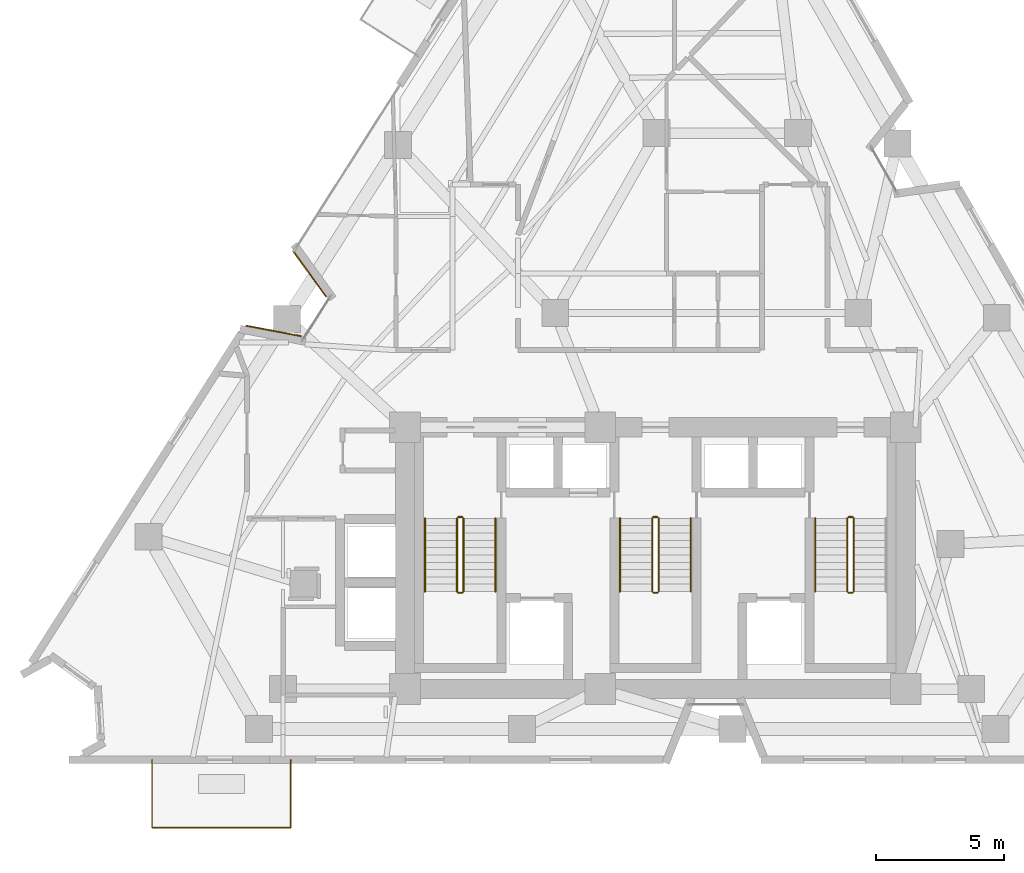
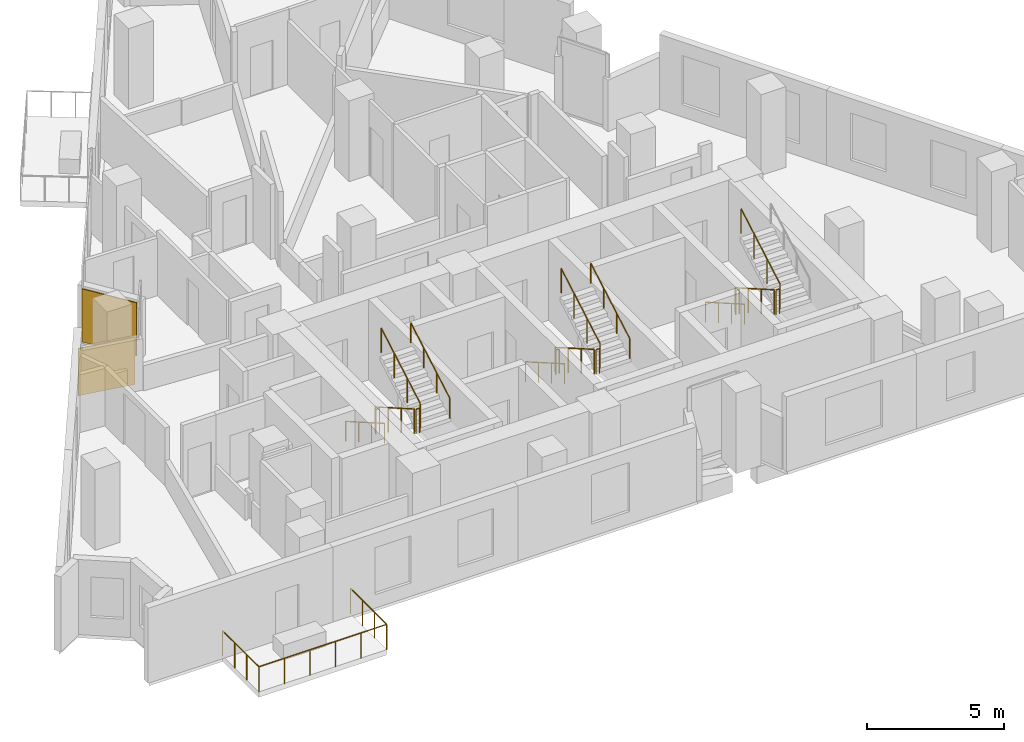
# One storey, part 10 of 11: 18 railings, 2 coverings.
"""IFC4 building model written with IfcOpenShell, lengths in metres."""

from ifc_helpers import new_model, si_unit, direction, frame, origin, origin_2d, place, context, subcontext, project, spatial, rectangle, circle, extrude, material, layer, layer_set, type_object, element, save


model = new_model("IFC4")

# Units and contexts
model_context = context("Model", 3, precision=1e-05, world=origin(), true_north=direction((0.0, 1.0)))
body_context = subcontext(model_context, "Body", "Model", "MODEL_VIEW")
ifc_project = project(units=[si_unit("LENGTHUNIT", "METRE"), si_unit("AREAUNIT", "SQUARE_METRE"), si_unit("VOLUMEUNIT", "CUBIC_METRE"), si_unit("PLANEANGLEUNIT", "RADIAN"), si_unit("MASSUNIT", "GRAM", prefix="KILO")], contexts=[model_context])

# Site, building, storey
site_placement = place(None, origin())
site = spatial("IfcSite", under=ifc_project, at=site_placement, CompositionType="ELEMENT")
building_placement = place(site_placement, origin())
building = spatial("IfcBuilding", under=site, at=building_placement, Name="Almagre Mirador Tower", CompositionType="ELEMENT")
storey_placement = place(building_placement, frame((0.0, 0.0, 150.0)))
storey = spatial("IfcBuildingStorey", under=building, at=storey_placement, Name="L38", CompositionType="ELEMENT", Elevation=150.0)

# Coverings
ifc_material_1 = material(Name="Almagre terracotta architectural cladding", Category="masonry")
ifc_layer = layer(ifc_material_1, 0.044921875)
ifc_layer_set = layer_set([ifc_layer], Name="Almagre terracotta architectural cladding")
covering_type = type_object("IfcCoveringType", Name="COV-CLAD-ALMAGRE", PredefinedType="CLADDING", material=ifc_layer_set)
covering_1_placement = place(storey_placement, frame((22.431884765625, 18.498046875, 0.099853515625), z_axis=(0.0, 0.0, 1.0), x_axis=(0.982333007297, -0.18714129094, 0.0)))
element("IfcCovering", 1, at=covering_1_placement, inside=storey, type_object=covering_type, Name="L38 almagre terracotta pier cladding", PredefinedType="CLADDING", context=body_context, shape_type="SweptSolid", body=[
    extrude(rectangle(XDim=2.194091796875, YDim=0.044921875, at=origin_2d()), origin(), (0.0, 0.0, 1.0), 2.10009765625),
])
covering_2_placement = place(storey_placement, frame((23.841796875, 20.7109375, 0.10009765625), z_axis=(0.0, 0.0, 1.0), x_axis=(-0.585537910268, 0.810645024434, 0.0)))
element("IfcCovering", 2, at=covering_2_placement, inside=storey, type_object=covering_type, Name="L38 almagre terracotta pier cladding", PredefinedType="CLADDING", context=body_context, shape_type="SweptSolid", body=[
    extrude(rectangle(XDim=2.194091796875, YDim=0.044921875, at=origin_2d()), origin(), (0.0, 0.0, 1.0), 2.375),
])

# Railings
ifc_material_2 = material(Name="Black anodized aluminium", Category="aluminium")
railing_type_1 = type_object("IfcRailingType", Name="RLG-BAL-1150", PredefinedType="BALUSTRADE", material=ifc_material_2)
railing_1_placement = place(storey_placement, frame((17.699951171875, 1.800048828125, 0.0)))
element("IfcRailing", 3, at=railing_1_placement, inside=storey, type_object=railing_type_1, Name="L38 south balcony balustrade 1", PredefinedType="BALUSTRADE", context=body_context, shape_type="SweptSolid", body=[
    extrude(circle(Radius=0.02392578125, at=origin_2d()), frame((0.0, 0.0, 1.1259765625), z_axis=(0.0, -1.0, 0.0), x_axis=(1.0, 0.0, 0.0)), (0.0, 0.0, 1.0), 2.650146484375),
    extrude(circle(Radius=0.02392578125, at=origin_2d()), frame((0.0, -2.650146484375, 1.1259765625), z_axis=(1.0, 0.0, 0.0), x_axis=(0.0, 1.0, 0.0)), (0.0, 0.0, 1.0), 5.400146484375),
    extrude(circle(Radius=0.02392578125, at=origin_2d()), frame((5.400146484375, -2.650146484375, 1.1259765625), z_axis=(0.0, 1.0, 0.0), x_axis=(-1.0, 0.0, 0.0)), (0.0, 0.0, 1.0), 2.650146484375),
    extrude(circle(Radius=0.02099609375, at=origin_2d()), origin(), (0.0, 0.0, 1.0), 1.101806640625),
    extrude(circle(Radius=0.02099609375, at=origin_2d()), frame((0.0, -0.88330078125, 0.0)), (0.0, 0.0, 1.0), 1.101806640625),
    extrude(circle(Radius=0.02099609375, at=origin_2d()), frame((0.0, -1.766845703125, 0.0)), (0.0, 0.0, 1.0), 1.101806640625),
    extrude(circle(Radius=0.02099609375, at=origin_2d()), frame((0.0, -2.650146484375, 0.0)), (0.0, 0.0, 1.0), 1.101806640625),
    extrude(circle(Radius=0.02099609375, at=origin_2d()), frame((1.080078125, -2.650146484375, 0.0)), (0.0, 0.0, 1.0), 1.101806640625),
    extrude(circle(Radius=0.02099609375, at=origin_2d()), frame((2.16015625, -2.650146484375, 0.0)), (0.0, 0.0, 1.0), 1.101806640625),
    extrude(circle(Radius=0.02099609375, at=origin_2d()), frame((3.239990234375, -2.650146484375, 0.0)), (0.0, 0.0, 1.0), 1.101806640625),
    extrude(circle(Radius=0.02099609375, at=origin_2d()), frame((4.320068359375, -2.650146484375, 0.0)), (0.0, 0.0, 1.0), 1.101806640625),
    extrude(circle(Radius=0.02099609375, at=origin_2d()), frame((5.400146484375, -2.650146484375, 0.0)), (0.0, 0.0, 1.0), 1.101806640625),
    extrude(circle(Radius=0.02099609375, at=origin_2d()), frame((5.400146484375, -1.766845703125, 0.0)), (0.0, 0.0, 1.0), 1.101806640625),
    extrude(circle(Radius=0.02099609375, at=origin_2d()), frame((5.400146484375, -0.88330078125, 0.0)), (0.0, 0.0, 1.0), 1.101806640625),
    extrude(circle(Radius=0.02099609375, at=origin_2d()), frame((5.400146484375, 0.0, 0.0)), (0.0, 0.0, 1.0), 1.101806640625),
])
ifc_material_3 = material(Name="Painted galvanized steel", Category="steel")
railing_type_2 = type_object("IfcRailingType", Name="RLG-GRD-1100", PredefinedType="GUARDRAIL", material=ifc_material_3)
railing_2_placement = place(storey_placement, frame((29.574951171875, 11.199951171875, 0.16357421875)))
element("IfcRailing", 4, at=railing_2_placement, inside=storey, type_object=railing_type_2, Name="L38 ST-1 stair guard 1", PredefinedType="GUARDRAIL", context=body_context, shape_type="SweptSolid", body=[
    extrude(circle(Radius=0.02392578125, at=origin_2d()), frame((0.0, 0.0, 1.09619140625), z_axis=(0.0, -0.867194282975, 0.497969954491), x_axis=(1.0, 0.0, 0.0)), (0.0, 0.0, 1.0), 3.286376953125),
    extrude(circle(Radius=0.02099609375, at=origin_2d()), origin(), (0.0, 0.0, 1.0), 1.072021484375),
    extrude(circle(Radius=0.02099609375, at=origin_2d()), frame((0.0, -0.949951171875, 0.54541015625)), (0.0, 0.0, 1.0), 1.072021484375),
    extrude(circle(Radius=0.02099609375, at=origin_2d()), frame((0.0, -1.89990234375, 1.091064453125)), (0.0, 0.0, 1.0), 1.072021484375),
    extrude(circle(Radius=0.02099609375, at=origin_2d()), frame((0.0, -2.849853515625, 1.636474609375)), (0.0, 0.0, 1.0), 1.072021484375),
])
railing_3_placement = place(storey_placement, frame((29.625, 8.300048828125, 1.800048828125)))
element("IfcRailing", 5, at=railing_3_placement, inside=storey, type_object=railing_type_2, Name="L38 ST-1 stair guard 2", PredefinedType="GUARDRAIL", context=body_context, shape_type="SweptSolid", body=[
    extrude(circle(Radius=0.02392578125, at=origin_2d()), frame((0.0, 0.0, 1.09619140625), z_axis=(1.0, 0.0, 0.0), x_axis=(0.0, 1.0, 0.0)), (0.0, 0.0, 1.0), 0.14990234375),
    extrude(circle(Radius=0.02099609375, at=origin_2d()), origin(), (0.0, 0.0, 1.0), 1.072021484375),
    extrude(circle(Radius=0.02099609375, at=origin_2d()), frame((0.14990234375, 0.0, 0.0)), (0.0, 0.0, 1.0), 1.072021484375),
])
railing_4_placement = place(storey_placement, frame((29.824951171875, 8.35009765625, 1.963623046875)))
element("IfcRailing", 6, at=railing_4_placement, inside=storey, type_object=railing_type_2, Name="L38 ST-1 stair guard 3", PredefinedType="GUARDRAIL", context=body_context, shape_type="SweptSolid", body=[
    extrude(circle(Radius=0.02392578125, at=origin_2d()), frame((0.0, 0.0, 1.09619140625), z_axis=(0.0, 0.867194282975, 0.497969954491), x_axis=(-1.0, 0.0, 0.0)), (0.0, 0.0, 1.0), 3.286376953125),
    extrude(circle(Radius=0.02099609375, at=origin_2d()), origin(), (0.0, 0.0, 1.0), 1.072021484375),
    extrude(circle(Radius=0.02099609375, at=origin_2d()), frame((0.0, 0.949951171875, 0.54541015625)), (0.0, 0.0, 1.0), 1.072021484375),
    extrude(circle(Radius=0.02099609375, at=origin_2d()), frame((0.0, 1.89990234375, 1.091064453125)), (0.0, 0.0, 1.0), 1.072021484375),
    extrude(circle(Radius=0.02099609375, at=origin_2d()), frame((0.0, 2.849853515625, 1.636474609375)), (0.0, 0.0, 1.0), 1.072021484375),
])
railing_5_placement = place(storey_placement, frame((29.625, 11.25, 0.0)))
element("IfcRailing", 7, at=railing_5_placement, inside=storey, type_object=railing_type_2, Name="L38 ST-1 stair guard 4", PredefinedType="GUARDRAIL", context=body_context, shape_type="SweptSolid", body=[
    extrude(circle(Radius=0.02392578125, at=origin_2d()), frame((0.0, 0.0, 1.09619140625), z_axis=(1.0, 0.0, 0.0), x_axis=(0.0, 1.0, 0.0)), (0.0, 0.0, 1.0), 0.14990234375),
    extrude(circle(Radius=0.02099609375, at=origin_2d()), origin(), (0.0, 0.0, 1.0), 1.072021484375),
    extrude(circle(Radius=0.02099609375, at=origin_2d()), frame((0.14990234375, 0.0, 0.0)), (0.0, 0.0, 1.0), 1.072021484375),
])
railing_6_placement = place(storey_placement, frame((37.175048828125, 11.199951171875, 0.16357421875)))
element("IfcRailing", 8, at=railing_6_placement, inside=storey, type_object=railing_type_2, Name="L38 ST-2 stair guard 1", PredefinedType="GUARDRAIL", context=body_context, shape_type="SweptSolid", body=[
    extrude(circle(Radius=0.02392578125, at=origin_2d()), frame((0.0, 0.0, 1.09619140625), z_axis=(0.0, -0.867194282975, 0.497969954491), x_axis=(1.0, 0.0, 0.0)), (0.0, 0.0, 1.0), 3.286376953125),
    extrude(circle(Radius=0.02099609375, at=origin_2d()), origin(), (0.0, 0.0, 1.0), 1.072021484375),
    extrude(circle(Radius=0.02099609375, at=origin_2d()), frame((0.0, -0.949951171875, 0.54541015625)), (0.0, 0.0, 1.0), 1.072021484375),
    extrude(circle(Radius=0.02099609375, at=origin_2d()), frame((0.0, -1.89990234375, 1.091064453125)), (0.0, 0.0, 1.0), 1.072021484375),
    extrude(circle(Radius=0.02099609375, at=origin_2d()), frame((0.0, -2.849853515625, 1.636474609375)), (0.0, 0.0, 1.0), 1.072021484375),
])
railing_7_placement = place(storey_placement, frame((37.22509765625, 8.300048828125, 1.800048828125)))
element("IfcRailing", 9, at=railing_7_placement, inside=storey, type_object=railing_type_2, Name="L38 ST-2 stair guard 2", PredefinedType="GUARDRAIL", context=body_context, shape_type="SweptSolid", body=[
    extrude(circle(Radius=0.02392578125, at=origin_2d()), frame((0.0, 0.0, 1.09619140625), z_axis=(1.0, 0.0, 0.0), x_axis=(0.0, 1.0, 0.0)), (0.0, 0.0, 1.0), 0.14990234375),
    extrude(circle(Radius=0.02099609375, at=origin_2d()), origin(), (0.0, 0.0, 1.0), 1.072021484375),
    extrude(circle(Radius=0.02099609375, at=origin_2d()), frame((0.14990234375, 0.0, 0.0)), (0.0, 0.0, 1.0), 1.072021484375),
])
railing_8_placement = place(storey_placement, frame((37.425048828125, 8.35009765625, 1.963623046875)))
element("IfcRailing", 10, at=railing_8_placement, inside=storey, type_object=railing_type_2, Name="L38 ST-2 stair guard 3", PredefinedType="GUARDRAIL", context=body_context, shape_type="SweptSolid", body=[
    extrude(circle(Radius=0.02392578125, at=origin_2d()), frame((0.0, 0.0, 1.09619140625), z_axis=(0.0, 0.867194282975, 0.497969954491), x_axis=(-1.0, 0.0, 0.0)), (0.0, 0.0, 1.0), 3.286376953125),
    extrude(circle(Radius=0.02099609375, at=origin_2d()), origin(), (0.0, 0.0, 1.0), 1.072021484375),
    extrude(circle(Radius=0.02099609375, at=origin_2d()), frame((0.0, 0.949951171875, 0.54541015625)), (0.0, 0.0, 1.0), 1.072021484375),
    extrude(circle(Radius=0.02099609375, at=origin_2d()), frame((0.0, 1.89990234375, 1.091064453125)), (0.0, 0.0, 1.0), 1.072021484375),
    extrude(circle(Radius=0.02099609375, at=origin_2d()), frame((0.0, 2.849853515625, 1.636474609375)), (0.0, 0.0, 1.0), 1.072021484375),
])
railing_9_placement = place(storey_placement, frame((37.22509765625, 11.25, 0.0)))
element("IfcRailing", 11, at=railing_9_placement, inside=storey, type_object=railing_type_2, Name="L38 ST-2 stair guard 4", PredefinedType="GUARDRAIL", context=body_context, shape_type="SweptSolid", body=[
    extrude(circle(Radius=0.02392578125, at=origin_2d()), frame((0.0, 0.0, 1.09619140625), z_axis=(1.0, 0.0, 0.0), x_axis=(0.0, 1.0, 0.0)), (0.0, 0.0, 1.0), 0.14990234375),
    extrude(circle(Radius=0.02099609375, at=origin_2d()), origin(), (0.0, 0.0, 1.0), 1.072021484375),
    extrude(circle(Radius=0.02099609375, at=origin_2d()), frame((0.14990234375, 0.0, 0.0)), (0.0, 0.0, 1.0), 1.072021484375),
])
railing_10_placement = place(storey_placement, frame((44.77490234375, 11.199951171875, 0.16357421875)))
element("IfcRailing", 12, at=railing_10_placement, inside=storey, type_object=railing_type_2, Name="L38 ST-3 stair guard 1", PredefinedType="GUARDRAIL", context=body_context, shape_type="SweptSolid", body=[
    extrude(circle(Radius=0.02392578125, at=origin_2d()), frame((0.0, 0.0, 1.09619140625), z_axis=(0.0, -0.867194282975, 0.497969954491), x_axis=(1.0, 0.0, 0.0)), (0.0, 0.0, 1.0), 3.286376953125),
    extrude(circle(Radius=0.02099609375, at=origin_2d()), origin(), (0.0, 0.0, 1.0), 1.072021484375),
    extrude(circle(Radius=0.02099609375, at=origin_2d()), frame((0.0, -0.949951171875, 0.54541015625)), (0.0, 0.0, 1.0), 1.072021484375),
    extrude(circle(Radius=0.02099609375, at=origin_2d()), frame((0.0, -1.89990234375, 1.091064453125)), (0.0, 0.0, 1.0), 1.072021484375),
    extrude(circle(Radius=0.02099609375, at=origin_2d()), frame((0.0, -2.849853515625, 1.636474609375)), (0.0, 0.0, 1.0), 1.072021484375),
])
railing_11_placement = place(storey_placement, frame((44.824951171875, 8.300048828125, 1.800048828125)))
element("IfcRailing", 13, at=railing_11_placement, inside=storey, type_object=railing_type_2, Name="L38 ST-3 stair guard 2", PredefinedType="GUARDRAIL", context=body_context, shape_type="SweptSolid", body=[
    extrude(circle(Radius=0.02392578125, at=origin_2d()), frame((0.0, 0.0, 1.09619140625), z_axis=(1.0, 0.0, 0.0), x_axis=(0.0, 1.0, 0.0)), (0.0, 0.0, 1.0), 0.150146484375),
    extrude(circle(Radius=0.02099609375, at=origin_2d()), origin(), (0.0, 0.0, 1.0), 1.072021484375),
    extrude(circle(Radius=0.02099609375, at=origin_2d()), frame((0.150146484375, 0.0, 0.0)), (0.0, 0.0, 1.0), 1.072021484375),
])
railing_12_placement = place(storey_placement, frame((45.02490234375, 8.35009765625, 1.963623046875)))
element("IfcRailing", 14, at=railing_12_placement, inside=storey, type_object=railing_type_2, Name="L38 ST-3 stair guard 3", PredefinedType="GUARDRAIL", context=body_context, shape_type="SweptSolid", body=[
    extrude(circle(Radius=0.02392578125, at=origin_2d()), frame((0.0, 0.0, 1.09619140625), z_axis=(0.0, 0.867194282975, 0.497969954491), x_axis=(-1.0, 0.0, 0.0)), (0.0, 0.0, 1.0), 3.286376953125),
    extrude(circle(Radius=0.02099609375, at=origin_2d()), origin(), (0.0, 0.0, 1.0), 1.072021484375),
    extrude(circle(Radius=0.02099609375, at=origin_2d()), frame((0.0, 0.949951171875, 0.54541015625)), (0.0, 0.0, 1.0), 1.072021484375),
    extrude(circle(Radius=0.02099609375, at=origin_2d()), frame((0.0, 1.89990234375, 1.091064453125)), (0.0, 0.0, 1.0), 1.072021484375),
    extrude(circle(Radius=0.02099609375, at=origin_2d()), frame((0.0, 2.849853515625, 1.636474609375)), (0.0, 0.0, 1.0), 1.072021484375),
])
railing_13_placement = place(storey_placement, frame((44.824951171875, 11.25, 0.0)))
element("IfcRailing", 15, at=railing_13_placement, inside=storey, type_object=railing_type_2, Name="L38 ST-3 stair guard 4", PredefinedType="GUARDRAIL", context=body_context, shape_type="SweptSolid", body=[
    extrude(circle(Radius=0.02392578125, at=origin_2d()), frame((0.0, 0.0, 1.09619140625), z_axis=(1.0, 0.0, 0.0), x_axis=(0.0, 1.0, 0.0)), (0.0, 0.0, 1.0), 0.150146484375),
    extrude(circle(Radius=0.02099609375, at=origin_2d()), origin(), (0.0, 0.0, 1.0), 1.072021484375),
    extrude(circle(Radius=0.02099609375, at=origin_2d()), frame((0.150146484375, 0.0, 0.0)), (0.0, 0.0, 1.0), 1.072021484375),
])
ifc_material_4 = material(Name="Brushed stainless steel", Category="steel")
railing_type_3 = type_object("IfcRailingType", Name="RLG-HND-915", PredefinedType="HANDRAIL", material=ifc_material_4)
railing_14_placement = place(storey_placement, frame((28.324951171875, 11.199951171875, 0.16357421875)))
element("IfcRailing", 16, at=railing_14_placement, inside=storey, type_object=railing_type_3, Name="L38 ST-1 stair handrail 1", PredefinedType="HANDRAIL", context=body_context, shape_type="SweptSolid", body=[
    extrude(circle(Radius=0.02392578125, at=origin_2d()), frame((0.0, 0.0, 0.89111328125), z_axis=(0.0, -0.867194282975, 0.497969954491), x_axis=(1.0, 0.0, 0.0)), (0.0, 0.0, 1.0), 3.286376953125),
    extrude(circle(Radius=0.02099609375, at=origin_2d()), origin(), (0.0, 0.0, 1.0), 0.866943359375),
    extrude(circle(Radius=0.02099609375, at=origin_2d()), frame((0.0, -0.949951171875, 0.54541015625)), (0.0, 0.0, 1.0), 0.866943359375),
    extrude(circle(Radius=0.02099609375, at=origin_2d()), frame((0.0, -1.89990234375, 1.091064453125)), (0.0, 0.0, 1.0), 0.866943359375),
    extrude(circle(Radius=0.02099609375, at=origin_2d()), frame((0.0, -2.849853515625, 1.636474609375)), (0.0, 0.0, 1.0), 0.866943359375),
])
railing_15_placement = place(storey_placement, frame((31.074951171875, 8.35009765625, 1.963623046875)))
element("IfcRailing", 17, at=railing_15_placement, inside=storey, type_object=railing_type_3, Name="L38 ST-1 stair handrail 2", PredefinedType="HANDRAIL", context=body_context, shape_type="SweptSolid", body=[
    extrude(circle(Radius=0.02392578125, at=origin_2d()), frame((0.0, 0.0, 0.89111328125), z_axis=(0.0, 0.867194282975, 0.497969954491), x_axis=(-1.0, 0.0, 0.0)), (0.0, 0.0, 1.0), 3.286376953125),
    extrude(circle(Radius=0.02099609375, at=origin_2d()), origin(), (0.0, 0.0, 1.0), 0.866943359375),
    extrude(circle(Radius=0.02099609375, at=origin_2d()), frame((0.0, 0.949951171875, 0.54541015625)), (0.0, 0.0, 1.0), 0.866943359375),
    extrude(circle(Radius=0.02099609375, at=origin_2d()), frame((0.0, 1.89990234375, 1.091064453125)), (0.0, 0.0, 1.0), 0.866943359375),
    extrude(circle(Radius=0.02099609375, at=origin_2d()), frame((0.0, 2.849853515625, 1.636474609375)), (0.0, 0.0, 1.0), 0.866943359375),
])
railing_16_placement = place(storey_placement, frame((35.925048828125, 11.199951171875, 0.16357421875)))
element("IfcRailing", 18, at=railing_16_placement, inside=storey, type_object=railing_type_3, Name="L38 ST-2 stair handrail 1", PredefinedType="HANDRAIL", context=body_context, shape_type="SweptSolid", body=[
    extrude(circle(Radius=0.02392578125, at=origin_2d()), frame((0.0, 0.0, 0.89111328125), z_axis=(0.0, -0.867194282975, 0.497969954491), x_axis=(1.0, 0.0, 0.0)), (0.0, 0.0, 1.0), 3.286376953125),
    extrude(circle(Radius=0.02099609375, at=origin_2d()), origin(), (0.0, 0.0, 1.0), 0.866943359375),
    extrude(circle(Radius=0.02099609375, at=origin_2d()), frame((0.0, -0.949951171875, 0.54541015625)), (0.0, 0.0, 1.0), 0.866943359375),
    extrude(circle(Radius=0.02099609375, at=origin_2d()), frame((0.0, -1.89990234375, 1.091064453125)), (0.0, 0.0, 1.0), 0.866943359375),
    extrude(circle(Radius=0.02099609375, at=origin_2d()), frame((0.0, -2.849853515625, 1.636474609375)), (0.0, 0.0, 1.0), 0.866943359375),
])
railing_17_placement = place(storey_placement, frame((38.675048828125, 8.35009765625, 1.963623046875)))
element("IfcRailing", 19, at=railing_17_placement, inside=storey, type_object=railing_type_3, Name="L38 ST-2 stair handrail 2", PredefinedType="HANDRAIL", context=body_context, shape_type="SweptSolid", body=[
    extrude(circle(Radius=0.02392578125, at=origin_2d()), frame((0.0, 0.0, 0.89111328125), z_axis=(0.0, 0.867194282975, 0.497969954491), x_axis=(-1.0, 0.0, 0.0)), (0.0, 0.0, 1.0), 3.286376953125),
    extrude(circle(Radius=0.02099609375, at=origin_2d()), origin(), (0.0, 0.0, 1.0), 0.866943359375),
    extrude(circle(Radius=0.02099609375, at=origin_2d()), frame((0.0, 0.949951171875, 0.54541015625)), (0.0, 0.0, 1.0), 0.866943359375),
    extrude(circle(Radius=0.02099609375, at=origin_2d()), frame((0.0, 1.89990234375, 1.091064453125)), (0.0, 0.0, 1.0), 0.866943359375),
    extrude(circle(Radius=0.02099609375, at=origin_2d()), frame((0.0, 2.849853515625, 1.636474609375)), (0.0, 0.0, 1.0), 0.866943359375),
])
railing_18_placement = place(storey_placement, frame((43.52490234375, 11.199951171875, 0.16357421875)))
element("IfcRailing", 20, at=railing_18_placement, inside=storey, type_object=railing_type_3, Name="L38 ST-3 stair handrail 1", PredefinedType="HANDRAIL", context=body_context, shape_type="SweptSolid", body=[
    extrude(circle(Radius=0.02392578125, at=origin_2d()), frame((0.0, 0.0, 0.89111328125), z_axis=(0.0, -0.867194282975, 0.497969954491), x_axis=(1.0, 0.0, 0.0)), (0.0, 0.0, 1.0), 3.286376953125),
    extrude(circle(Radius=0.02099609375, at=origin_2d()), origin(), (0.0, 0.0, 1.0), 0.866943359375),
    extrude(circle(Radius=0.02099609375, at=origin_2d()), frame((0.0, -0.949951171875, 0.54541015625)), (0.0, 0.0, 1.0), 0.866943359375),
    extrude(circle(Radius=0.02099609375, at=origin_2d()), frame((0.0, -1.89990234375, 1.091064453125)), (0.0, 0.0, 1.0), 0.866943359375),
    extrude(circle(Radius=0.02099609375, at=origin_2d()), frame((0.0, -2.849853515625, 1.636474609375)), (0.0, 0.0, 1.0), 0.866943359375),
])

save(model, "model.ifc")
